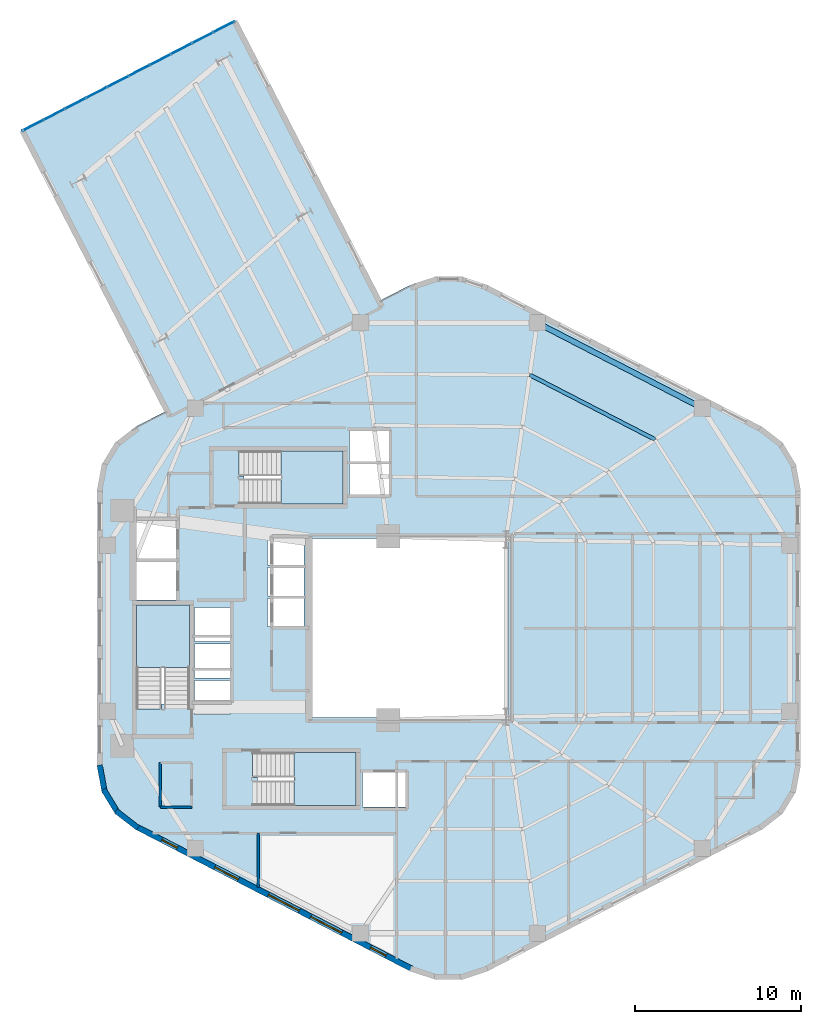
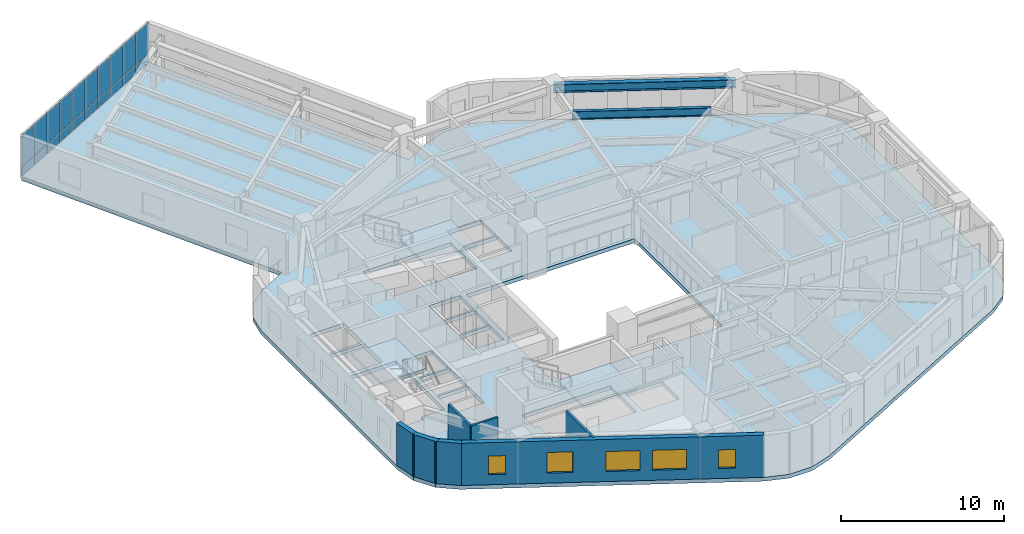
# One storey, part 5 of 10: 20 plates, 7 walls, 5 windows, 4 slabs, 2 beams, 5 openings, 4 elements without a shape of their own.
"""IFC4 building model written with IfcOpenShell, lengths in metres."""

from ifc_helpers import new_model, si_unit, direction, frame, frame_2d, origin, origin_2d, place, context, subcontext, project, spatial, polyline, rectangle, i_section, outline, extrude, material, layer, layer_set, material_profile, profile_set, type_object, element, fill, aggregate, save


model = new_model("IFC4")

# Units and contexts
model_context = context("Model", 3, precision=1e-05, world=origin(), true_north=direction((0.0, 1.0)))
body_context = subcontext(model_context, "Body", "Model", "MODEL_VIEW")
ifc_project = project(units=[si_unit("LENGTHUNIT", "METRE"), si_unit("AREAUNIT", "SQUARE_METRE"), si_unit("VOLUMEUNIT", "CUBIC_METRE"), si_unit("PLANEANGLEUNIT", "RADIAN"), si_unit("MASSUNIT", "GRAM", prefix="KILO"), si_unit("THERMODYNAMICTEMPERATUREUNIT", "KELVIN"), si_unit("POWERUNIT", "WATT")], contexts=[model_context])

# Site, building, storey
site_placement = place(None, origin())
site = spatial("IfcSite", under=ifc_project, at=site_placement, CompositionType="ELEMENT")
building_placement = place(site_placement, origin())
building = spatial("IfcBuilding", under=site, at=building_placement, Name="Skarre Station Tower", CompositionType="ELEMENT")
storey_placement = place(building_placement, frame((0.0, 0.0, 142.949951171875)))
storey = spatial("IfcBuildingStorey", under=building, at=storey_placement, Name="L38", CompositionType="ELEMENT", Elevation=142.949951171875)

# Beams
ifc_material_1 = material(Name="Steel ASTM A992 Grade 50", Category="steel")
ifc_material_profile_1 = material_profile(ifc_material_1, i_section(OverallWidth=0.22802734375, OverallDepth=0.60791015625, WebThickness=0.010986328125, FlangeThickness=0.01708984375, at=origin_2d()), Name="Steel ASTM A992 Grade 50")
ifc_profile_set_1 = profile_set([ifc_material_profile_1], Name="Steel ASTM A992 Grade 50")
beam_type_1 = type_object("IfcBeamType", Name="Steel Joist W24X76", PredefinedType="JOIST", material=ifc_profile_set_1)
beam_1_placement = place(storey_placement, frame((48.448974609375, 35.375, 2.85595703125), z_axis=(-0.888603699553, 0.45867577344, 0.0), x_axis=(-0.45867577344, -0.888603699553, 0.0)))
element("IfcBeam", 1, at=beam_1_placement, inside=storey, type_object=beam_type_1, Name="L38 Secondary Floor Joist 3", PredefinedType="JOIST", context=body_context, shape_type="SweptSolid", body=[
    extrude(i_section(OverallWidth=0.22802734375, OverallDepth=0.60791015625, WebThickness=0.010986328125, FlangeThickness=0.01708984375, at=origin_2d()), origin(), (0.0, 0.0, 1.0), 8.51806640625),
])
ifc_material_profile_2 = material_profile(ifc_material_1, i_section(OverallWidth=0.327880859375, OverallDepth=0.6279296875, WebThickness=0.01708984375, FlangeThickness=0.028076171875, at=origin_2d()), Name="Steel ASTM A992 Grade 50")
ifc_profile_set_2 = profile_set([ifc_material_profile_2], Name="Steel ASTM A992 Grade 50")
beam_type_2 = type_object("IfcBeamType", Name="Steel Spandrel W24X146", PredefinedType="SPANDREL", material=ifc_profile_set_2)
beam_2_placement = place(storey_placement, frame((51.291015625, 37.277099609375, 2.845947265625), z_axis=(-0.888611779493, 0.458660119639, 0.0), x_axis=(-0.458660119639, -0.888611779493, 0.0)))
element("IfcBeam", 2, at=beam_2_placement, inside=storey, type_object=beam_type_2, Name="L38 Facet Spandrel Beam 1", PredefinedType="SPANDREL", context=body_context, shape_type="SweptSolid", body=[
    extrude(i_section(OverallWidth=0.327880859375, OverallDepth=0.6279296875, WebThickness=0.01708984375, FlangeThickness=0.028076171875, at=origin_2d()), origin(), (0.0, 0.0, 1.0), 11.20849609375),
])

# Curtain wall, plates
ifc_material_2 = material(Name="Thermally Broken Bronze-Anodized Aluminium & Triple Low-E Glass", Category="aluminium")
ifc_layer_1 = layer(ifc_material_2, 0.2099609375, Name="Thermally Broken Bronze-Anodized Aluminium & Triple Low-E Glass")
ifc_layer_set_1 = layer_set([ifc_layer_1], Name="Thermally Broken Bronze-Anodized Aluminium & Triple Low-E Glass")
curtain_wall_type = type_object("IfcCurtainWallType", Name="Sky-Bar Prow Structural Glazed Curtain Wall", PredefinedType="NOTDEFINED", material=ifc_layer_set_1)
curtain_wall_placement = place(storey_placement, origin())
curtain_wall = element("IfcCurtainWall", 3, at=curtain_wall_placement, inside=storey, type_object=curtain_wall_type, Name="L38 SB-3 Lakefront Prow Curtain Wall", PredefinedType="NOTDEFINED")
ifc_material_3 = material(Name="Insulated Bronze Anodized Aluminium Spandrel", Category="aluminium")
ifc_layer_2 = layer(ifc_material_3, 0.052001953125, Name="Insulated Bronze Anodized Aluminium Spandrel")
ifc_layer_set_2 = layer_set([ifc_layer_2], Name="Insulated Bronze Anodized Aluminium Spandrel")
plate_type_1 = type_object("IfcPlateType", Name="Bronze Insulated Spandrel Sheet Panel 52", PredefinedType="SHEET", material=ifc_layer_set_2)
plate_1_placement = place(storey_placement, frame((10.9189453125, 54.3359375, 0.052001953125), z_axis=(0.0, 0.0, 1.0), x_axis=(0.888601222224, 0.458680572798, 0.0)))
plate_1 = element("IfcPlate", 4, at=plate_1_placement, type_object=plate_type_1, Name="L38 SB-3 Lakefront Prow Curtain Wall Spandrel Panel 1-1", PredefinedType="SHEET", context=body_context, shape_type="SweptSolid", body=[
    extrude(rectangle(XDim=1.416015625, YDim=0.052001953125, at=origin_2d()), origin(), (0.0, 0.0, 1.0), 0.68603515625),
])
plate_2_placement = place(storey_placement, frame((12.197998046875, 54.9970703125, 0.052001953125), z_axis=(0.0, 0.0, 1.0), x_axis=(0.888601222224, 0.458680572798, 0.0)))
plate_2 = element("IfcPlate", 5, at=plate_2_placement, type_object=plate_type_1, Name="L38 SB-3 Lakefront Prow Curtain Wall Spandrel Panel 2-1", PredefinedType="SHEET", context=body_context, shape_type="SweptSolid", body=[
    extrude(rectangle(XDim=1.416015625, YDim=0.052001953125, at=origin_2d()), origin(), (0.0, 0.0, 1.0), 0.68603515625),
])
plate_3_placement = place(storey_placement, frame((13.47802734375, 55.656982421875, 0.052001953125), z_axis=(0.0, 0.0, 1.0), x_axis=(0.888601222224, 0.458680572798, 0.0)))
plate_3 = element("IfcPlate", 6, at=plate_3_placement, type_object=plate_type_1, Name="L38 SB-3 Lakefront Prow Curtain Wall Spandrel Panel 3-1", PredefinedType="SHEET", context=body_context, shape_type="SweptSolid", body=[
    extrude(rectangle(XDim=1.416015625, YDim=0.052001953125, at=origin_2d()), origin(), (0.0, 0.0, 1.0), 0.68603515625),
])
plate_4_placement = place(storey_placement, frame((14.758056640625, 56.318115234375, 0.052001953125), z_axis=(0.0, 0.0, 1.0), x_axis=(0.888601222224, 0.458680572798, 0.0)))
plate_4 = element("IfcPlate", 7, at=plate_4_placement, type_object=plate_type_1, Name="L38 SB-3 Lakefront Prow Curtain Wall Spandrel Panel 4-1", PredefinedType="SHEET", context=body_context, shape_type="SweptSolid", body=[
    extrude(rectangle(XDim=1.416015625, YDim=0.052001953125, at=origin_2d()), origin(), (0.0, 0.0, 1.0), 0.68603515625),
])
plate_5_placement = place(storey_placement, frame((16.037109375, 56.97802734375, 0.052001953125), z_axis=(0.0, 0.0, 1.0), x_axis=(0.888601222224, 0.458680572798, 0.0)))
plate_5 = element("IfcPlate", 8, at=plate_5_placement, type_object=plate_type_1, Name="L38 SB-3 Lakefront Prow Curtain Wall Spandrel Panel 5-1", PredefinedType="SHEET", context=body_context, shape_type="SweptSolid", body=[
    extrude(rectangle(XDim=1.416015625, YDim=0.052001953125, at=origin_2d()), origin(), (0.0, 0.0, 1.0), 0.68603515625),
])
plate_6_placement = place(storey_placement, frame((17.31689453125, 57.638916015625, 0.052001953125), z_axis=(0.0, 0.0, 1.0), x_axis=(0.888601222224, 0.458680572798, 0.0)))
plate_6 = element("IfcPlate", 9, at=plate_6_placement, type_object=plate_type_1, Name="L38 SB-3 Lakefront Prow Curtain Wall Spandrel Panel 6-1", PredefinedType="SHEET", context=body_context, shape_type="SweptSolid", body=[
    extrude(rectangle(XDim=1.416015625, YDim=0.052001953125, at=origin_2d()), origin(), (0.0, 0.0, 1.0), 0.68603515625),
])
plate_7_placement = place(storey_placement, frame((18.595947265625, 58.299072265625, 0.052001953125), z_axis=(0.0, 0.0, 1.0), x_axis=(0.888601222224, 0.458680572798, 0.0)))
plate_7 = element("IfcPlate", 10, at=plate_7_placement, type_object=plate_type_1, Name="L38 SB-3 Lakefront Prow Curtain Wall Spandrel Panel 7-1", PredefinedType="SHEET", context=body_context, shape_type="SweptSolid", body=[
    extrude(rectangle(XDim=1.416015625, YDim=0.052001953125, at=origin_2d()), origin(), (0.0, 0.0, 1.0), 0.68603515625),
])
plate_8_placement = place(storey_placement, frame((19.8759765625, 58.9599609375, 0.052001953125), z_axis=(0.0, 0.0, 1.0), x_axis=(0.888601222224, 0.458680572798, 0.0)))
plate_8 = element("IfcPlate", 11, at=plate_8_placement, type_object=plate_type_1, Name="L38 SB-3 Lakefront Prow Curtain Wall Spandrel Panel 8-1", PredefinedType="SHEET", context=body_context, shape_type="SweptSolid", body=[
    extrude(rectangle(XDim=1.416015625, YDim=0.052001953125, at=origin_2d()), origin(), (0.0, 0.0, 1.0), 0.68603515625),
])
plate_9_placement = place(storey_placement, frame((21.156005859375, 59.6201171875, 0.052001953125), z_axis=(0.0, 0.0, 1.0), x_axis=(0.888601222224, 0.458680572798, 0.0)))
plate_9 = element("IfcPlate", 12, at=plate_9_placement, type_object=plate_type_1, Name="L38 SB-3 Lakefront Prow Curtain Wall Spandrel Panel 9-1", PredefinedType="SHEET", context=body_context, shape_type="SweptSolid", body=[
    extrude(rectangle(XDim=1.416015625, YDim=0.052001953125, at=origin_2d()), origin(), (0.0, 0.0, 1.0), 0.68603515625),
])
plate_10_placement = place(storey_placement, frame((22.43505859375, 60.281005859375, 0.052001953125), z_axis=(0.0, 0.0, 1.0), x_axis=(0.888601222224, 0.458680572798, 0.0)))
plate_10 = element("IfcPlate", 13, at=plate_10_placement, type_object=plate_type_1, Name="L38 SB-3 Lakefront Prow Curtain Wall Spandrel Panel 10-1", PredefinedType="SHEET", context=body_context, shape_type="SweptSolid", body=[
    extrude(rectangle(XDim=1.416015625, YDim=0.052001953125, at=origin_2d()), origin(), (0.0, 0.0, 1.0), 0.68603515625),
])

# Stair, slab
ifc_material_4 = material(Name="Concrete C40/50", Category="concrete")
stair_type_1 = type_object("IfcStairType", Name="Reinforced Concrete Exit Stair ST-1", PredefinedType="HALF_TURN_STAIR", material=ifc_material_4)
stair_1_placement = place(storey_placement, origin())
stair_1 = element("IfcStair", 14, at=stair_1_placement, inside=storey, type_object=stair_type_1, Name="L38 Core Exit Stair ST-1", PredefinedType="HALF_TURN_STAIR")
ifc_layer_3 = layer(ifc_material_4, 0.219970703125, Name="Concrete C40/50")
ifc_layer_set_3 = layer_set([ifc_layer_3], Name="Concrete C40/50")
slab_type_1 = type_object("IfcSlabType", Name="Reinforced Concrete Stair & Ramp Landing 220", PredefinedType="LANDING", material=ifc_layer_set_3)
slab_1_placement = place(storey_placement, frame((0.0, 0.0, 1.525146484375)))
slab_1 = element("IfcSlab", 15, at=slab_1_placement, type_object=slab_type_1, Name="ST-1 landing 1", PredefinedType="LANDING", context=body_context, shape_type="SweptSolid", body=[
    extrude(outline(polyline([(20.35009765625, 21.639892578125), (20.35009765625, 25.39990234375), (17.14990234375, 25.39990234375), (17.14990234375, 21.639892578125), (20.35009765625, 21.639892578125)])), origin(), (0.0, 0.0, 1.0), 0.199951171875),
])
aggregate(stair_1, [slab_1])

stair_type_2 = type_object("IfcStairType", Name="Reinforced Concrete Exit Stair ST-2", PredefinedType="HALF_TURN_STAIR", material=ifc_material_4)
stair_2_placement = place(storey_placement, origin())
stair_2 = element("IfcStair", 16, at=stair_2_placement, inside=storey, type_object=stair_type_2, Name="L38 Core Exit Stair ST-2", PredefinedType="HALF_TURN_STAIR")
slab_2_placement = place(storey_placement, frame((0.0, 0.0, 1.525146484375)))
slab_2 = element("IfcSlab", 17, at=slab_2_placement, type_object=slab_type_1, Name="ST-2 landing 1", PredefinedType="LANDING", context=body_context, shape_type="SweptSolid", body=[
    extrude(outline(polyline([(26.669921875, 13.300048828125), (30.39990234375, 13.300048828125), (30.39990234375, 16.5), (26.669921875, 16.5), (26.669921875, 13.300048828125)])), origin(), (0.0, 0.0, 1.0), 0.199951171875),
])
aggregate(stair_2, [slab_2])

stair_type_3 = type_object("IfcStairType", Name="Reinforced Concrete Exit Stair ST-3", PredefinedType="HALF_TURN_STAIR", material=ifc_material_4)
stair_3_placement = place(storey_placement, origin())
stair_3 = element("IfcStair", 18, at=stair_3_placement, inside=storey, type_object=stair_type_3, Name="L38 Core Exit Stair ST-3", PredefinedType="HALF_TURN_STAIR")
slab_3_placement = place(storey_placement, frame((0.0, 0.0, 1.525146484375)))
slab_3 = element("IfcSlab", 19, at=slab_3_placement, type_object=slab_type_1, Name="ST-3 landing 1", PredefinedType="LANDING", context=body_context, shape_type="SweptSolid", body=[
    extrude(outline(polyline([(25.8701171875, 31.5), (29.60009765625, 31.5), (29.60009765625, 34.699951171875), (25.8701171875, 34.699951171875), (25.8701171875, 31.5)])), origin(), (0.0, 0.0, 1.0), 0.199951171875),
])
aggregate(stair_3, [slab_3])

# Slab
ifc_material_5 = material(Name="Concrete C50/60", Category="concrete")
ifc_layer_4 = layer(ifc_material_5, 0.2900390625, Name="Concrete C50/60")
ifc_layer_set_4 = layer_set([ifc_layer_4], Name="Concrete C50/60")
slab_type_2 = type_object("IfcSlabType", Name="Sky-Bar Composite Floor Slab 290", PredefinedType="FLOOR", material=ifc_layer_set_4)
slab_4_placement = place(storey_placement, frame((0.0, 0.0, -0.2900390625)))
element("IfcSlab", 20, at=slab_4_placement, inside=storey, type_object=slab_type_2, Name="L38 Tower and SB-3 Floor Slab", PredefinedType="FLOOR", context=body_context, shape_type="SweptSolid", body=[
    extrude(outline(polyline([(31.7890625, 43.72705078125), (23.074951171875, 60.611083984375), (10.279052734375, 54.006103515625), (18.992919921875, 37.123046875), (17.091064453125, 36.14111328125), (15.867919921875, 35.194091796875), (15.06298828125, 33.873046875), (14.781982421875, 32.35205078125), (14.781982421875, 15.64794921875), (15.06298828125, 14.126953125), (15.867919921875, 12.805908203125), (17.091064453125, 11.85888671875), (33.69091796875, 3.291015625), (35.2041015625, 2.7939453125), (36.7958984375, 2.7939453125), (38.30908203125, 3.291015625), (54.908935546875, 11.85888671875), (56.132080078125, 12.805908203125), (56.93701171875, 14.126953125), (57.218017578125, 15.64794921875), (57.218017578125, 32.35205078125), (56.93701171875, 33.873046875), (56.132080078125, 35.194091796875), (54.908935546875, 36.14111328125), (38.30908203125, 44.708984375), (36.7958984375, 45.2060546875), (35.2041015625, 45.2060546875), (33.69091796875, 44.708984375), (31.7890625, 43.72705078125)]), holes=[polyline([(18.669921875, 19.419921875), (18.669921875, 19.123046875), (17.14990234375, 19.123046875), (17.14990234375, 25.39990234375), (20.35009765625, 25.39990234375), (20.35009765625, 19.419921875), (18.669921875, 19.419921875)]), polyline([(24.449951171875, 14.97998046875), (24.153076171875, 14.97998046875), (24.153076171875, 16.5), (30.39990234375, 16.5), (30.39990234375, 13.300048828125), (24.449951171875, 13.300048828125), (24.449951171875, 14.97998046875)]), polyline([(23.64990234375, 33.179931640625), (23.35302734375, 33.179931640625), (23.35302734375, 34.699951171875), (29.60009765625, 34.699951171875), (29.60009765625, 31.5), (23.64990234375, 31.5), (23.64990234375, 33.179931640625)]), polyline([(17.14990234375, 28.0), (19.550048828125, 28.0), (19.550048828125, 25.699951171875), (17.14990234375, 25.699951171875), (17.14990234375, 28.0)]), polyline([(17.14990234375, 30.5), (19.550048828125, 30.5), (19.550048828125, 28.199951171875), (17.14990234375, 28.199951171875), (17.14990234375, 30.5)]), polyline([(30.800048828125, 15.300048828125), (33.39990234375, 15.300048828125), (33.39990234375, 13.199951171875), (30.800048828125, 13.199951171875), (30.800048828125, 15.300048828125)]), polyline([(25.050048828125, 25.800048828125), (27.25, 25.800048828125), (27.25, 24.10009765625), (25.050048828125, 24.10009765625), (25.050048828125, 25.800048828125)]), polyline([(25.050048828125, 27.64990234375), (27.25, 27.64990234375), (27.25, 25.949951171875), (25.050048828125, 25.949951171875), (25.050048828125, 27.64990234375)]), polyline([(25.050048828125, 29.5), (27.25, 29.5), (27.25, 27.800048828125), (25.050048828125, 27.800048828125), (25.050048828125, 29.5)]), polyline([(20.64990234375, 20.85009765625), (22.800048828125, 20.85009765625), (22.800048828125, 18.800048828125), (20.64990234375, 18.800048828125), (20.64990234375, 20.85009765625)]), polyline([(20.64990234375, 23.050048828125), (22.800048828125, 23.050048828125), (22.800048828125, 21.0), (20.64990234375, 21.0), (20.64990234375, 23.050048828125)]), polyline([(20.64990234375, 25.25), (22.800048828125, 25.25), (22.800048828125, 23.199951171875), (20.64990234375, 23.199951171875), (20.64990234375, 25.25)]), polyline([(30.0, 33.89990234375), (32.39990234375, 33.89990234375), (32.39990234375, 32.050048828125), (30.0, 32.050048828125), (30.0, 33.89990234375)]), polyline([(30.0, 35.89990234375), (32.39990234375, 35.89990234375), (32.39990234375, 34.050048828125), (30.0, 34.050048828125), (30.0, 35.89990234375)]), polyline([(27.60009765625, 29.39990234375), (39.60009765625, 29.39990234375), (39.60009765625, 18.60009765625), (27.60009765625, 18.60009765625), (27.60009765625, 29.39990234375)])]), origin(), (0.0, 0.0, 1.0), 0.2900390625),
])

# Plate
ifc_material_6 = material(Name="Low-Iron Triple Insulating Glass Unit", Category="glass")
ifc_layer_5 = layer(ifc_material_6, 0.0439453125, Name="Low-Iron Triple Insulating Glass Unit")
ifc_layer_set_5 = layer_set([ifc_layer_5], Name="Low-Iron Triple Insulating Glass Unit")
plate_type_2 = type_object("IfcPlateType", Name="Triple-Glazed Vision Curtain Panel 44", PredefinedType="CURTAIN_PANEL", material=ifc_layer_set_5)
plate_11_placement = place(storey_placement, frame((10.9189453125, 54.3359375, 0.76220703125), z_axis=(0.0, 0.0, 1.0), x_axis=(0.888601222224, 0.458680572798, 0.0)))
plate_11 = element("IfcPlate", 21, at=plate_11_placement, type_object=plate_type_2, Name="L38 SB-3 Lakefront Prow Curtain Wall Vision Panel 1-2", PredefinedType="CURTAIN_PANEL", context=body_context, shape_type="SweptSolid", body=[
    extrude(rectangle(XDim=1.416015625, YDim=0.0439453125, at=origin_2d()), origin(), (0.0, 0.0, 1.0), 2.345947265625),
])

plate_12_placement = place(storey_placement, frame((12.197998046875, 54.9970703125, 0.76220703125), z_axis=(0.0, 0.0, 1.0), x_axis=(0.888601222224, 0.458680572798, 0.0)))
plate_12 = element("IfcPlate", 22, at=plate_12_placement, type_object=plate_type_2, Name="L38 SB-3 Lakefront Prow Curtain Wall Vision Panel 2-2", PredefinedType="CURTAIN_PANEL", context=body_context, shape_type="SweptSolid", body=[
    extrude(rectangle(XDim=1.416015625, YDim=0.0439453125, at=origin_2d()), origin(), (0.0, 0.0, 1.0), 2.345947265625),
])

plate_13_placement = place(storey_placement, frame((13.47802734375, 55.656982421875, 0.76220703125), z_axis=(0.0, 0.0, 1.0), x_axis=(0.888601222224, 0.458680572798, 0.0)))
plate_13 = element("IfcPlate", 23, at=plate_13_placement, type_object=plate_type_2, Name="L38 SB-3 Lakefront Prow Curtain Wall Vision Panel 3-2", PredefinedType="CURTAIN_PANEL", context=body_context, shape_type="SweptSolid", body=[
    extrude(rectangle(XDim=1.416015625, YDim=0.0439453125, at=origin_2d()), origin(), (0.0, 0.0, 1.0), 2.345947265625),
])

plate_14_placement = place(storey_placement, frame((14.758056640625, 56.318115234375, 0.76220703125), z_axis=(0.0, 0.0, 1.0), x_axis=(0.888601222224, 0.458680572798, 0.0)))
plate_14 = element("IfcPlate", 24, at=plate_14_placement, type_object=plate_type_2, Name="L38 SB-3 Lakefront Prow Curtain Wall Vision Panel 4-2", PredefinedType="CURTAIN_PANEL", context=body_context, shape_type="SweptSolid", body=[
    extrude(rectangle(XDim=1.416015625, YDim=0.0439453125, at=origin_2d()), origin(), (0.0, 0.0, 1.0), 2.345947265625),
])

plate_15_placement = place(storey_placement, frame((16.037109375, 56.97802734375, 0.76220703125), z_axis=(0.0, 0.0, 1.0), x_axis=(0.888601222224, 0.458680572798, 0.0)))
plate_15 = element("IfcPlate", 25, at=plate_15_placement, type_object=plate_type_2, Name="L38 SB-3 Lakefront Prow Curtain Wall Vision Panel 5-2", PredefinedType="CURTAIN_PANEL", context=body_context, shape_type="SweptSolid", body=[
    extrude(rectangle(XDim=1.416015625, YDim=0.0439453125, at=origin_2d()), origin(), (0.0, 0.0, 1.0), 2.345947265625),
])

plate_16_placement = place(storey_placement, frame((17.31689453125, 57.638916015625, 0.76220703125), z_axis=(0.0, 0.0, 1.0), x_axis=(0.888601222224, 0.458680572798, 0.0)))
plate_16 = element("IfcPlate", 26, at=plate_16_placement, type_object=plate_type_2, Name="L38 SB-3 Lakefront Prow Curtain Wall Vision Panel 6-2", PredefinedType="CURTAIN_PANEL", context=body_context, shape_type="SweptSolid", body=[
    extrude(rectangle(XDim=1.416015625, YDim=0.0439453125, at=origin_2d()), origin(), (0.0, 0.0, 1.0), 2.345947265625),
])

plate_17_placement = place(storey_placement, frame((18.595947265625, 58.299072265625, 0.76220703125), z_axis=(0.0, 0.0, 1.0), x_axis=(0.888601222224, 0.458680572798, 0.0)))
plate_17 = element("IfcPlate", 27, at=plate_17_placement, type_object=plate_type_2, Name="L38 SB-3 Lakefront Prow Curtain Wall Vision Panel 7-2", PredefinedType="CURTAIN_PANEL", context=body_context, shape_type="SweptSolid", body=[
    extrude(rectangle(XDim=1.416015625, YDim=0.0439453125, at=origin_2d()), origin(), (0.0, 0.0, 1.0), 2.345947265625),
])

plate_18_placement = place(storey_placement, frame((19.8759765625, 58.9599609375, 0.76220703125), z_axis=(0.0, 0.0, 1.0), x_axis=(0.888601222224, 0.458680572798, 0.0)))
plate_18 = element("IfcPlate", 28, at=plate_18_placement, type_object=plate_type_2, Name="L38 SB-3 Lakefront Prow Curtain Wall Vision Panel 8-2", PredefinedType="CURTAIN_PANEL", context=body_context, shape_type="SweptSolid", body=[
    extrude(rectangle(XDim=1.416015625, YDim=0.0439453125, at=origin_2d()), origin(), (0.0, 0.0, 1.0), 2.345947265625),
])

plate_19_placement = place(storey_placement, frame((21.156005859375, 59.6201171875, 0.76220703125), z_axis=(0.0, 0.0, 1.0), x_axis=(0.888601222224, 0.458680572798, 0.0)))
plate_19 = element("IfcPlate", 29, at=plate_19_placement, type_object=plate_type_2, Name="L38 SB-3 Lakefront Prow Curtain Wall Vision Panel 9-2", PredefinedType="CURTAIN_PANEL", context=body_context, shape_type="SweptSolid", body=[
    extrude(rectangle(XDim=1.416015625, YDim=0.0439453125, at=origin_2d()), origin(), (0.0, 0.0, 1.0), 2.345947265625),
])

plate_20_placement = place(storey_placement, frame((22.43505859375, 60.281005859375, 0.76220703125), z_axis=(0.0, 0.0, 1.0), x_axis=(0.888601222224, 0.458680572798, 0.0)))
plate_20 = element("IfcPlate", 30, at=plate_20_placement, type_object=plate_type_2, Name="L38 SB-3 Lakefront Prow Curtain Wall Vision Panel 10-2", PredefinedType="CURTAIN_PANEL", context=body_context, shape_type="SweptSolid", body=[
    extrude(rectangle(XDim=1.416015625, YDim=0.0439453125, at=origin_2d()), origin(), (0.0, 0.0, 1.0), 2.345947265625),
])

aggregate(curtain_wall, [plate_1, plate_11, plate_2, plate_12, plate_3, plate_13, plate_4, plate_14, plate_5, plate_15, plate_6, plate_16, plate_7, plate_17, plate_8, plate_18, plate_9, plate_19, plate_10, plate_20])

# Walls
ifc_material_7 = material(Name="Acoustic Steel-Stud Gypsum Partition", Category="steel")
ifc_layer_6 = layer(ifc_material_7, 0.14990234375, Name="Acoustic Steel-Stud Gypsum Partition")
ifc_layer_set_6 = layer_set([ifc_layer_6], Name="Acoustic Steel-Stud Gypsum Partition")
wall_type_1 = type_object("IfcWallType", Name="Fire-Rated Corridor Acoustic Partition 150", PredefinedType="PARTITIONING", material=ifc_layer_set_6)
wall_1_placement = place(storey_placement, frame((18.60009765625, 15.8798828125, 0.0), z_axis=(0.0, 0.0, 1.0), x_axis=(0.0, -1.0, 0.0)))
element("IfcWall", 31, at=wall_1_placement, inside=storey, type_object=wall_type_1, Name="L38 Interior Partition WL-PT-L38-CSVC-W", PredefinedType="PARTITIONING", context=body_context, shape_type="SweptSolid", body=[
    extrude(rectangle(XDim=2.679931640625, YDim=0.14990234375, at=frame_2d((1.33984375, 0.0))), origin(), (0.0, 0.0, 1.0), 3.16015625),
])
wall_2_placement = place(storey_placement, frame((18.60009765625, 13.199951171875, 0.0), z_axis=(0.0, 0.0, 1.0), x_axis=(1.0, 0.0, 0.0)))
element("IfcWall", 32, at=wall_2_placement, inside=storey, type_object=wall_type_1, Name="L38 Interior Partition WL-PT-L38-CSVC-S", PredefinedType="PARTITIONING", context=body_context, shape_type="SweptSolid", body=[
    extrude(rectangle(XDim=1.889892578125, YDim=0.14990234375, at=frame_2d((0.94482421875, 0.0))), origin(), (0.0, 0.0, 1.0), 3.16015625),
])
wall_3_placement = place(storey_placement, frame((24.5, 8.35009765625, 0.0), z_axis=(0.0, 0.0, 1.0), x_axis=(0.0, 1.0, 0.0)))
element("IfcWall", 33, at=wall_3_placement, inside=storey, type_object=wall_type_1, Name="L38 Interior Partition WL-PT-L38-SWP-M", PredefinedType="PARTITIONING", context=body_context, shape_type="SweptSolid", body=[
    extrude(rectangle(XDim=3.289794921875, YDim=0.14990234375, at=frame_2d((1.64501953125, 0.0))), origin(), (0.0, 0.0, 1.0), 3.16015625),
])

# Wall, openings, windows
ifc_material_8 = material(Name="Precast concrete C45/55", Category="concrete")
ifc_layer_7 = layer(ifc_material_8, 0.340087890625, Name="Precast concrete C45/55")
ifc_layer_set_7 = layer_set([ifc_layer_7], Name="Precast concrete C45/55")
wall_type_2 = type_object("IfcWallType", Name="Nordic Honed Precast Facet Wall 340", PredefinedType="STANDARD", material=ifc_layer_set_7)
wall_4_placement = place(storey_placement, frame((33.76904296875, 3.44189453125, 0.0), z_axis=(0.0, 0.0, 1.0), x_axis=(-0.888613612362, 0.458656568606, 0.0)))
wall_4 = element("IfcWall", 34, at=wall_4_placement, inside=storey, type_object=wall_type_2, Name="L38 Facet 3 Nordic Precast Masonry Wall", PredefinedType="STANDARD", context=body_context, shape_type="SweptSolid", body=[
    extrude(rectangle(XDim=18.680908203125, YDim=0.340087890625, at=frame_2d((9.34033203125, 0.0))), origin(), (0.0, 0.0, 1.0), 3.16015625),
])
opening_1_placement = place(wall_4_placement, frame((1.75, 0.0, 0.75)))
opening_1 = element("IfcOpeningElement", 35, at=opening_1_placement, cuts=wall_4, Name="Opening WN-SLT", PredefinedType="OPENING", context=body_context, shape_type="SweptSolid", body=[
    extrude(rectangle(XDim=1.050048828125, YDim=1.39990234375, at=frame_2d((0.52490234375, 0.699951171875))), frame((0.0, 0.179931640625, 0.0), z_axis=(0.0, -1.0, 0.0), x_axis=(1.0, 0.0, 0.0)), (0.0, 0.0, 1.0), 0.360107421875),
])
opening_2_placement = place(wall_4_placement, frame((4.764892578125, 0.0, 0.75)))
opening_2 = element("IfcOpeningElement", 36, at=opening_2_placement, cuts=wall_4, Name="Opening WN-Z2B", PredefinedType="OPENING", context=body_context, shape_type="SweptSolid", body=[
    extrude(rectangle(XDim=2.10009765625, YDim=1.5, at=frame_2d((1.050048828125, 0.75))), frame((0.0, 0.179931640625, 0.0), z_axis=(0.0, -1.0, 0.0), x_axis=(1.0, 0.0, 0.0)), (0.0, 0.0, 1.0), 0.360107421875),
])
opening_3_placement = place(wall_4_placement, frame((7.64404296875, 0.0, 0.75)))
opening_3 = element("IfcOpeningElement", 37, at=opening_3_placement, cuts=wall_4, Name="Opening WN-Z2B", PredefinedType="OPENING", context=body_context, shape_type="SweptSolid", body=[
    extrude(rectangle(XDim=2.10009765625, YDim=1.5, at=frame_2d((1.050048828125, 0.75))), frame((0.0, 0.179931640625, 0.0), z_axis=(0.0, -1.0, 0.0), x_axis=(1.0, 0.0, 0.0)), (0.0, 0.0, 1.0), 0.360107421875),
])
opening_4_placement = place(wall_4_placement, frame((11.77392578125, 0.0, 0.75)))
opening_4 = element("IfcOpeningElement", 38, at=opening_4_placement, cuts=wall_4, Name="Opening WN-Z2A", PredefinedType="OPENING", context=body_context, shape_type="SweptSolid", body=[
    extrude(rectangle(XDim=1.60009765625, YDim=1.550048828125, at=frame_2d((0.800048828125, 0.77490234375))), frame((0.0, 0.179931640625, 0.0), z_axis=(0.0, -1.0, 0.0), x_axis=(1.0, 0.0, 0.0)), (0.0, 0.0, 1.0), 0.360107421875),
])
opening_5_placement = place(wall_4_placement, frame((15.919921875, 0.0, 0.75)))
opening_5 = element("IfcOpeningElement", 39, at=opening_5_placement, cuts=wall_4, Name="Opening WN-SLT", PredefinedType="OPENING", context=body_context, shape_type="SweptSolid", body=[
    extrude(rectangle(XDim=1.050048828125, YDim=1.39990234375, at=frame_2d((0.52490234375, 0.699951171875))), frame((0.0, 0.179931640625, 0.0), z_axis=(0.0, -1.0, 0.0), x_axis=(1.0, 0.0, 0.0)), (0.0, 0.0, 1.0), 0.360107421875),
])
ifc_material_9 = material(Name="Low-Iron Triple Glazing with Bronze Anodized Frame", Category="glass")
window_type_1 = type_object("IfcWindowType", Name="Nordic Corner Slot Window 1050x1400", PartitioningType="SINGLE_PANEL", PredefinedType="WINDOW", material=ifc_material_9)
window_1_placement = place(opening_1_placement, origin())
window_1 = element("IfcWindow", 40, at=window_1_placement, inside=storey, type_object=window_type_1, Name="L38 Facade Window WL-FAC-L38-F3-1", OverallHeight=1.39990234375, OverallWidth=1.050048828125, PartitioningType="SINGLE_PANEL", PredefinedType="WINDOW", context=body_context, shape_type="SweptSolid", body=[
    extrude(rectangle(XDim=1.050048828125, YDim=1.39990234375, at=frame_2d((0.52490234375, 0.699951171875))), frame((0.0, 0.030029296875, 0.0), z_axis=(0.0, -1.0, 0.0), x_axis=(1.0, 0.0, 0.0)), (0.0, 0.0, 1.0), 0.06005859375),
])
fill(opening_1, window_1)
window_2_placement = place(opening_5_placement, origin())
window_2 = element("IfcWindow", 41, at=window_2_placement, inside=storey, type_object=window_type_1, Name="L38 Facade Window WL-FAC-L38-F3-5", OverallHeight=1.39990234375, OverallWidth=1.050048828125, PartitioningType="SINGLE_PANEL", PredefinedType="WINDOW", context=body_context, shape_type="SweptSolid", body=[
    extrude(rectangle(XDim=1.050048828125, YDim=1.39990234375, at=frame_2d((0.52490234375, 0.699951171875))), frame((0.0, 0.030029296875, 0.0), z_axis=(0.0, -1.0, 0.0), x_axis=(1.0, 0.0, 0.0)), (0.0, 0.0, 1.0), 0.06005859375),
])
fill(opening_5, window_2)
window_type_2 = type_object("IfcWindowType", Name="Nordic Residential Tall Window 1600x1550", PartitioningType="SINGLE_PANEL", PredefinedType="WINDOW", material=ifc_material_9)
window_3_placement = place(opening_4_placement, origin())
window_3 = element("IfcWindow", 42, at=window_3_placement, inside=storey, type_object=window_type_2, Name="L38 Facade Window WL-FAC-L38-F3-4", OverallHeight=1.550048828125, OverallWidth=1.60009765625, PartitioningType="SINGLE_PANEL", PredefinedType="WINDOW", context=body_context, shape_type="SweptSolid", body=[
    extrude(rectangle(XDim=1.60009765625, YDim=1.550048828125, at=frame_2d((0.800048828125, 0.77490234375))), frame((0.0, 0.030029296875, 0.0), z_axis=(0.0, -1.0, 0.0), x_axis=(1.0, 0.0, 0.0)), (0.0, 0.0, 1.0), 0.06005859375),
])
fill(opening_4, window_3)
window_type_3 = type_object("IfcWindowType", Name="Nordic Residential Twin Window 2100x1500", PartitioningType="SINGLE_PANEL", PredefinedType="WINDOW", material=ifc_material_9)
window_4_placement = place(opening_2_placement, origin())
window_4 = element("IfcWindow", 43, at=window_4_placement, inside=storey, type_object=window_type_3, Name="L38 Facade Window WL-FAC-L38-F3-2", OverallHeight=1.5, OverallWidth=2.10009765625, PartitioningType="SINGLE_PANEL", PredefinedType="WINDOW", context=body_context, shape_type="SweptSolid", body=[
    extrude(rectangle(XDim=2.10009765625, YDim=1.5, at=frame_2d((1.050048828125, 0.75))), frame((0.0, 0.030029296875, 0.0), z_axis=(0.0, -1.0, 0.0), x_axis=(1.0, 0.0, 0.0)), (0.0, 0.0, 1.0), 0.06005859375),
])
fill(opening_2, window_4)
window_5_placement = place(opening_3_placement, origin())
window_5 = element("IfcWindow", 44, at=window_5_placement, inside=storey, type_object=window_type_3, Name="L38 Facade Window WL-FAC-L38-F3-3", OverallHeight=1.5, OverallWidth=2.10009765625, PartitioningType="SINGLE_PANEL", PredefinedType="WINDOW", context=body_context, shape_type="SweptSolid", body=[
    extrude(rectangle(XDim=2.10009765625, YDim=1.5, at=frame_2d((1.050048828125, 0.75))), frame((0.0, 0.030029296875, 0.0), z_axis=(0.0, -1.0, 0.0), x_axis=(1.0, 0.0, 0.0)), (0.0, 0.0, 1.0), 0.06005859375),
])
fill(opening_3, window_5)

# Walls
ifc_layer_8 = layer(ifc_material_8, 0.330078125, Name="Precast concrete C45/55")
ifc_layer_set_8 = layer_set([ifc_layer_8], Name="Precast concrete C45/55")
wall_type_3 = type_object("IfcWallType", Name="Nordic Rounded Corner Precast Wall 330", PredefinedType="STANDARD", material=ifc_layer_set_8)
wall_5_placement = place(storey_placement, frame((17.242919921875, 11.949951171875, 0.0), z_axis=(0.0, 0.0, 1.0), x_axis=(-0.790621329885, 0.612305408053, 0.0)))
element("IfcWall", 45, at=wall_5_placement, inside=storey, type_object=wall_type_3, Name="L38 Rounded Corner Precast Wall F3-1", PredefinedType="STANDARD", context=body_context, shape_type="SweptSolid", body=[
    extrude(rectangle(XDim=1.67578125, YDim=0.330078125, at=frame_2d((0.837890625, 0.0))), origin(), (0.0, 0.0, 1.0), 3.16015625),
])
wall_6_placement = place(storey_placement, frame((16.04296875, 12.8359375, 0.0), z_axis=(0.0, 0.0, 1.0), x_axis=(-0.520519429557, 0.853849824883, 0.0)))
element("IfcWall", 46, at=wall_6_placement, inside=storey, type_object=wall_type_3, Name="L38 Rounded Corner Precast Wall F3-2", PredefinedType="STANDARD", context=body_context, shape_type="SweptSolid", body=[
    extrude(rectangle(XDim=1.67724609375, YDim=0.330078125, at=frame_2d((0.838623046875, 0.0))), origin(), (0.0, 0.0, 1.0), 3.16015625),
])
wall_7_placement = place(storey_placement, frame((15.237060546875, 14.093017578125, 0.0), z_axis=(0.0, 0.0, 1.0), x_axis=(-0.181984991895, 0.983301308209, 0.0)))
element("IfcWall", 47, at=wall_7_placement, inside=storey, type_object=wall_type_3, Name="L38 Rounded Corner Precast Wall F3-3", PredefinedType="STANDARD", context=body_context, shape_type="SweptSolid", body=[
    extrude(rectangle(XDim=1.677001953125, YDim=0.330078125, at=frame_2d((0.83837890625, 0.0))), origin(), (0.0, 0.0, 1.0), 3.16015625),
])

save(model, "model.ifc")
